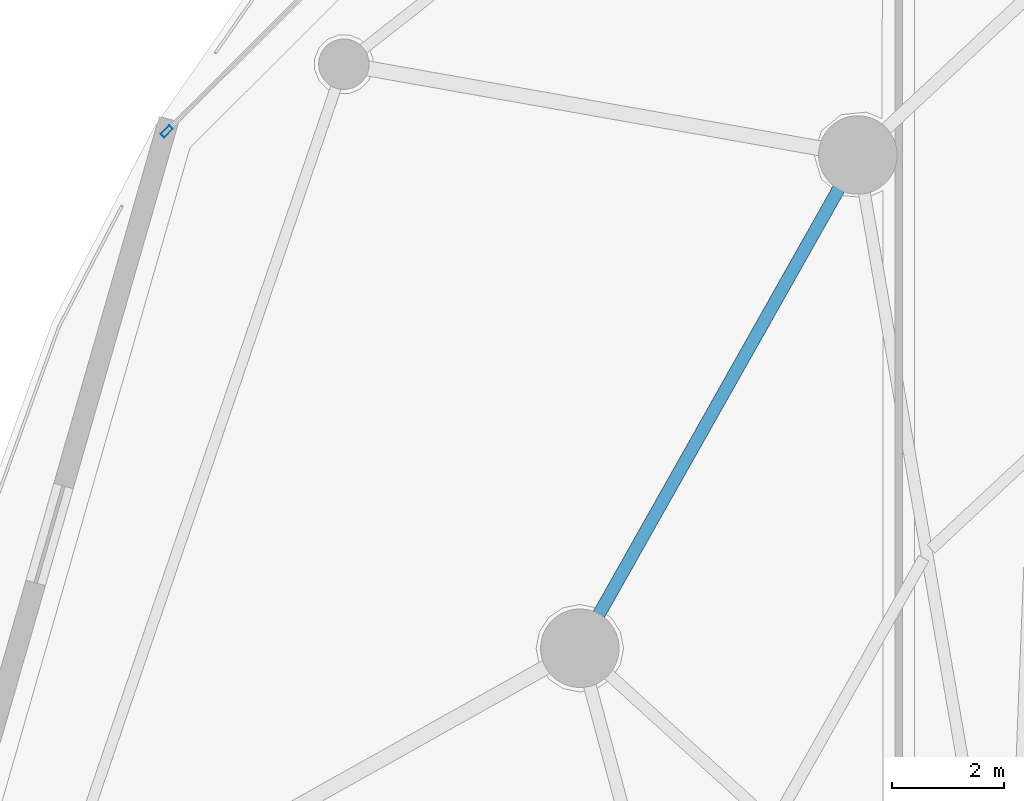
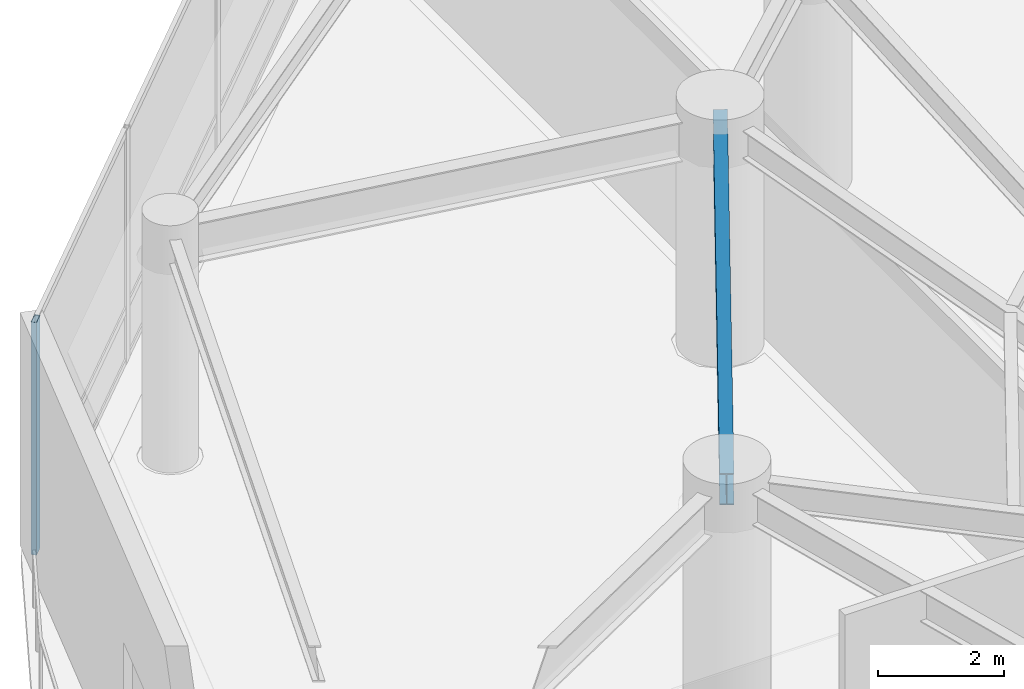
# One storey, part 6 of 40: 1 beam, 1 member, 1 element without a shape of its own.
"""IFC4 building model written with IfcOpenShell, lengths in metres."""

from ifc_helpers import new_model, si_unit, direction, frame, origin, origin_2d, place, context, subcontext, project, spatial, hollow_rectangle, i_section, extrude, material, layer, layer_set, material_profile, profile_set, type_object, element, aggregate, save


model = new_model("IFC4")

# Units and contexts
model_context = context("Model", 3, precision=1e-05, world=origin(), true_north=direction((0.0, 1.0)))
body_context = subcontext(model_context, "Body", "Model", "MODEL_VIEW")
ifc_project = project(units=[si_unit("LENGTHUNIT", "METRE"), si_unit("AREAUNIT", "SQUARE_METRE"), si_unit("VOLUMEUNIT", "CUBIC_METRE"), si_unit("PLANEANGLEUNIT", "RADIAN"), si_unit("MASSUNIT", "GRAM", prefix="KILO")], contexts=[model_context])

# Site, building, storey
site_placement = place(None, origin())
site = spatial("IfcSite", under=ifc_project, at=site_placement, CompositionType="ELEMENT")
building_placement = place(site_placement, origin())
building = spatial("IfcBuilding", under=site, at=building_placement, Name="Kazevale Care Tower and Concert Hall", CompositionType="ELEMENT")
storey_placement = place(building_placement, frame((0.0, 0.0, 9.60009765625)))
storey = spatial("IfcBuildingStorey", under=building, at=storey_placement, Name="L02", CompositionType="ELEMENT", Elevation=9.60009765625)

# Curtain wall, member
ifc_material_1 = material(Name="Aluminium 6063-T6 and Low-E Glass", Category="aluminium")
ifc_layer = layer(ifc_material_1, 0.179931640625)
ifc_layer_set = layer_set([ifc_layer], Name="Aluminium 6063-T6 and Low-E Glass")
curtain_wall_type = type_object("IfcCurtainWallType", Name="Podium Double-Skin Medical Curtain Wall CW-1", PredefinedType="NOTDEFINED", material=ifc_layer_set)
curtain_wall_placement = place(storey_placement, origin())
curtain_wall = element("IfcCurtainWall", 1, at=curtain_wall_placement, inside=storey, type_object=curtain_wall_type, Name="cw:L02:pod:06", PredefinedType="NOTDEFINED")
ifc_material_2 = material(Name="Aluminium 6063-T6", Category="aluminium")
ifc_material_profile_1 = material_profile(ifc_material_2, hollow_rectangle(XDim=0.090087890625, YDim=0.219970703125, WallThickness=0.0048828125, at=origin_2d()), Name="ALU90x220x5")
ifc_profile_set_1 = profile_set([ifc_material_profile_1], Name="Aluminium 6063-T6")
member_type = type_object("IfcMemberType", Name="CW-1 Mullion ALU90x220x5", PredefinedType="MULLION", material=ifc_profile_set_1)
member_placement = place(storey_placement, frame((6.93896484375, 52.601806640625, 0.0), z_axis=(0.0, 0.0, 1.0), x_axis=(0.705655814257, -0.708554776856, 0.0)))
member = element("IfcMember", 2, at=member_placement, type_object=member_type, Name="CW-1 mullion 4", PredefinedType="MULLION", context=body_context, shape_type="SweptSolid", body=[
    extrude(hollow_rectangle(XDim=0.090087890625, YDim=0.219970703125, WallThickness=0.0048828125, at=origin_2d()), origin(), (0.0, 0.0, 1.0), 4.52001953125),
])
aggregate(curtain_wall, [member])

# Beam
ifc_material_3 = material(Name="Steel ASTM A572 Gr 50", Category="steel")
ifc_material_profile_2 = material_profile(ifc_material_3, i_section(OverallWidth=0.22900390625, OverallDepth=0.612060546875, WebThickness=0.011962890625, FlangeThickness=0.01953125, at=origin_2d()), Name="W610x125")
ifc_profile_set_2 = profile_set([ifc_material_profile_2], Name="Steel ASTM A572 Gr 50")
beam_type = type_object("IfcBeamType", Name="Ring Spandrel Beam W610x125", PredefinedType="SPANDREL", material=ifc_profile_set_2)
beam_placement = place(storey_placement, frame((19.27001953125, 52.179931640625, 4.2138671875), z_axis=(-0.491008061092, -0.87115502865, 0.0), x_axis=(0.87115502865, -0.491008061092, 0.0)))
element("IfcBeam", 3, at=beam_placement, inside=storey, type_object=beam_type, Name="beam:L02:ring:08", PredefinedType="SPANDREL", context=body_context, shape_type="SweptSolid", body=[
    extrude(i_section(OverallWidth=0.22900390625, OverallDepth=0.612060546875, WebThickness=0.011962890625, FlangeThickness=0.01953125, at=origin_2d()), origin(), (0.0, 0.0, 1.0), 10.1015625),
])

save(model, "model.ifc")
